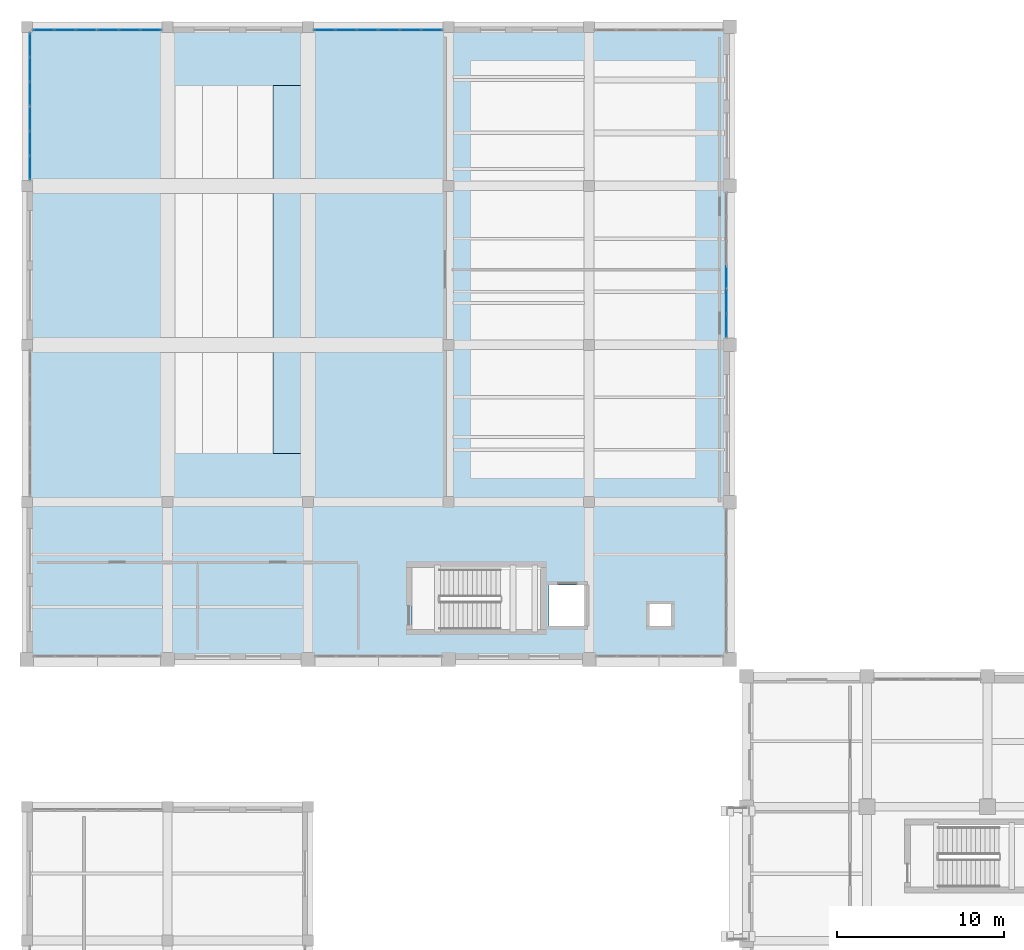
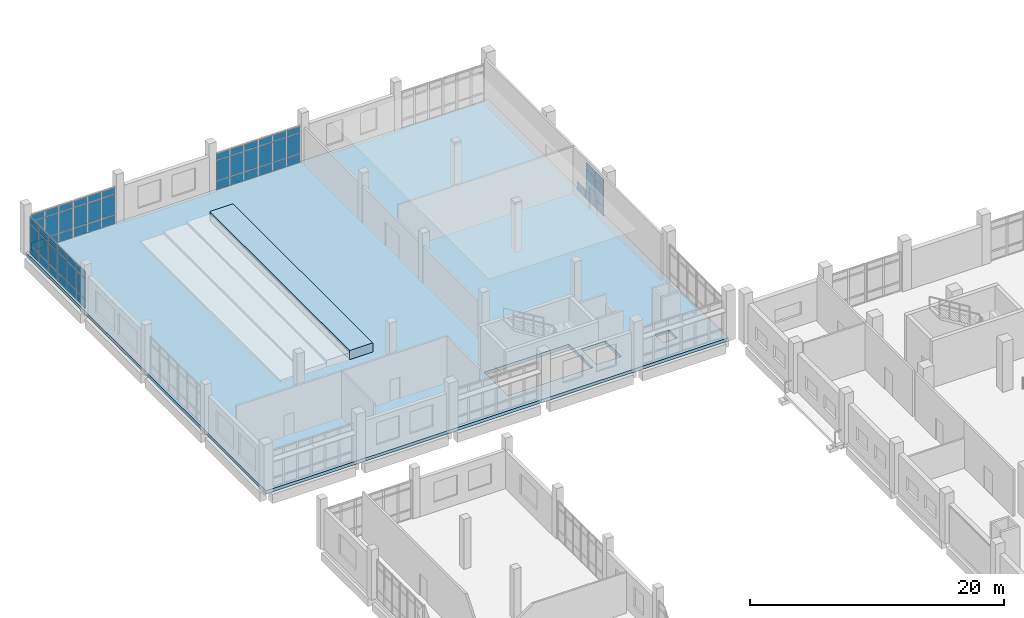
# One storey, part 56 of 90: 61 plates, 2 slabs, 7 elements without a shape of their own.
"""IFC4 building model written with IfcOpenShell, lengths in metres."""

from ifc_helpers import new_model, si_unit, direction, frame, origin, origin_2d, place, context, subcontext, project, spatial, polyline, rectangle, outline, extrude, material, layer, layer_set, type_object, element, aggregate, save


model = new_model("IFC4")

# Units and contexts
model_context = context("Model", 3, precision=1e-05, world=origin(), true_north=direction((0.0, 1.0)))
body_context = subcontext(model_context, "Body", "Model", "MODEL_VIEW")
ifc_project = project(units=[si_unit("LENGTHUNIT", "METRE"), si_unit("AREAUNIT", "SQUARE_METRE"), si_unit("VOLUMEUNIT", "CUBIC_METRE"), si_unit("PLANEANGLEUNIT", "RADIAN"), si_unit("MASSUNIT", "GRAM", prefix="KILO")], contexts=[model_context])

# Site, building, storey
site_placement = place(None, origin())
site = spatial("IfcSite", under=ifc_project, at=site_placement, CompositionType="ELEMENT")
building_placement = place(site_placement, origin())
building = spatial("IfcBuilding", under=site, at=building_placement, Name="Kelarvand Opera House", CompositionType="ELEMENT")
storey_placement = place(building_placement, frame((0.0, 0.0, 5.39990234375)))
storey = spatial("IfcBuildingStorey", under=building, at=storey_placement, Name="L01", CompositionType="ELEMENT", Elevation=5.39990234375)

# Curtain wall, plates
ifc_material_1 = material(Name="Thermally broken aluminium and low-E glazing", Category="aluminium")
ifc_layer_1 = layer(ifc_material_1, 0.179931640625, Name="Thermally broken aluminium and low-E glazing", Category="aluminium")
ifc_layer_set_1 = layer_set([ifc_layer_1], Name="Thermally broken aluminium and low-E glazing")
curtain_wall_type_1 = type_object("IfcCurtainWallType", Name="Unitised Low-E Curtain Wall 4326x3600 Mod 1350 CWF-15", PredefinedType="USERDEFINED", material=ifc_layer_set_1)
curtain_wall_1_placement = place(storey_placement, origin())
curtain_wall_1 = element("IfcCurtainWall", 1, at=curtain_wall_1_placement, inside=storey, type_object=curtain_wall_type_1, Name="V3 L01 Curtain Wall CWF-15 (48)", ObjectType="UNITISED CURTAIN WALL", PredefinedType="USERDEFINED")
ifc_material_2 = material(Name="Low-E laminated double glazing", Category="glass")
ifc_layer_2 = layer(ifc_material_2, 0.031982421875, Name="Low-E laminated double glazing", Category="glass")
ifc_layer_set_2 = layer_set([ifc_layer_2], Name="Low-E laminated double glazing")
plate_type = type_object("IfcPlateType", Name="Low-E Argon Double Glazed Curtain Panel 32mm", PredefinedType="CURTAIN_PANEL", material=ifc_layer_set_2)
plate_1_placement = place(storey_placement, frame((50.820068359375, 110.011962890625, 0.06494140625), z_axis=(0.0, 0.0, 1.0), x_axis=(0.0, -1.0, 0.0)))
plate_1 = element("IfcPlate", 2, at=plate_1_placement, type_object=plate_type, Name="CWF-15 panel 1.1", PredefinedType="CURTAIN_PANEL", context=body_context, shape_type="SweptSolid", body=[
    extrude(rectangle(XDim=1.345947265625, YDim=0.031982421875, at=origin_2d()), origin(), (0.0, 0.0, 1.0), 0.802490234375),
])
plate_2_placement = place(storey_placement, frame((50.820068359375, 108.5849609375, 0.06494140625), z_axis=(0.0, 0.0, 1.0), x_axis=(0.0, -1.0, 0.0)))
plate_2 = element("IfcPlate", 3, at=plate_2_placement, type_object=plate_type, Name="CWF-15 panel 2.1", PredefinedType="CURTAIN_PANEL", context=body_context, shape_type="SweptSolid", body=[
    extrude(rectangle(XDim=1.37841796875, YDim=0.031982421875, at=origin_2d()), origin(), (0.0, 0.0, 1.0), 0.802490234375),
])
plate_3_placement = place(storey_placement, frame((50.820068359375, 108.5849609375, 0.9326171875), z_axis=(0.0, 0.0, 1.0), x_axis=(0.0, -1.0, 0.0)))
plate_3 = element("IfcPlate", 4, at=plate_3_placement, type_object=plate_type, Name="CWF-15 panel 2.2", PredefinedType="CURTAIN_PANEL", context=body_context, shape_type="SweptSolid", body=[
    extrude(rectangle(XDim=1.37841796875, YDim=0.031982421875, at=origin_2d()), origin(), (0.0, 0.0, 1.0), 1.93505859375),
])
plate_4_placement = place(storey_placement, frame((50.820068359375, 108.5849609375, 2.9326171875), z_axis=(0.0, 0.0, 1.0), x_axis=(0.0, -1.0, 0.0)))
plate_4 = element("IfcPlate", 5, at=plate_4_placement, type_object=plate_type, Name="CWF-15 panel 2.3", PredefinedType="CURTAIN_PANEL", context=body_context, shape_type="SweptSolid", body=[
    extrude(rectangle(XDim=1.37841796875, YDim=0.031982421875, at=origin_2d()), origin(), (0.0, 0.0, 1.0), 0.6025390625),
])
plate_5_placement = place(storey_placement, frame((50.820068359375, 107.157958984375, 0.06494140625), z_axis=(0.0, 0.0, 1.0), x_axis=(0.0, -1.0, 0.0)))
plate_5 = element("IfcPlate", 6, at=plate_5_placement, type_object=plate_type, Name="CWF-15 panel 3.1", PredefinedType="CURTAIN_PANEL", context=body_context, shape_type="SweptSolid", body=[
    extrude(rectangle(XDim=1.345947265625, YDim=0.031982421875, at=origin_2d()), origin(), (0.0, 0.0, 1.0), 0.802490234375),
])
plate_6_placement = place(storey_placement, frame((50.820068359375, 107.157958984375, 0.9326171875), z_axis=(0.0, 0.0, 1.0), x_axis=(0.0, -1.0, 0.0)))
plate_6 = element("IfcPlate", 7, at=plate_6_placement, type_object=plate_type, Name="CWF-15 panel 3.2", PredefinedType="CURTAIN_PANEL", context=body_context, shape_type="SweptSolid", body=[
    extrude(rectangle(XDim=1.345947265625, YDim=0.031982421875, at=origin_2d()), origin(), (0.0, 0.0, 1.0), 1.93505859375),
])
plate_7_placement = place(storey_placement, frame((50.820068359375, 107.157958984375, 2.9326171875), z_axis=(0.0, 0.0, 1.0), x_axis=(0.0, -1.0, 0.0)))
plate_7 = element("IfcPlate", 8, at=plate_7_placement, type_object=plate_type, Name="CWF-15 panel 3.3", PredefinedType="CURTAIN_PANEL", context=body_context, shape_type="SweptSolid", body=[
    extrude(rectangle(XDim=1.345947265625, YDim=0.031982421875, at=origin_2d()), origin(), (0.0, 0.0, 1.0), 0.6025390625),
])
aggregate(curtain_wall_1, [plate_1, plate_2, plate_3, plate_4, plate_5, plate_6, plate_7])

ifc_layer_3 = layer(ifc_material_1, 0.179931640625, Name="Thermally broken aluminium and low-E glazing", Category="aluminium")
ifc_layer_set_3 = layer_set([ifc_layer_3], Name="Thermally broken aluminium and low-E glazing")
curtain_wall_type_2 = type_object("IfcCurtainWallType", Name="Unitised Low-E Curtain Wall 3861x3600 Mod 1350 CWF-17", PredefinedType="USERDEFINED", material=ifc_layer_set_3)
curtain_wall_2_placement = place(storey_placement, origin())
curtain_wall_2 = element("IfcCurtainWall", 9, at=curtain_wall_2_placement, inside=storey, type_object=curtain_wall_type_2, Name="V3 L01 Curtain Wall CWF-17 (51)", ObjectType="UNITISED CURTAIN WALL", PredefinedType="USERDEFINED")
plate_8_placement = place(storey_placement, frame((9.99462890625, 124.820068359375, 0.06494140625), z_axis=(0.0, 0.0, 1.0), x_axis=(1.0, 0.0, 0.0)))
plate_8 = element("IfcPlate", 10, at=plate_8_placement, type_object=plate_type, Name="CWF-17 panel 1.1", PredefinedType="CURTAIN_PANEL", context=body_context, shape_type="SweptSolid", body=[
    extrude(rectangle(XDim=1.189453125, YDim=0.031982421875, at=origin_2d()), origin(), (0.0, 0.0, 1.0), 0.802490234375),
])
plate_9_placement = place(storey_placement, frame((9.99462890625, 124.820068359375, 0.9326171875), z_axis=(0.0, 0.0, 1.0), x_axis=(1.0, 0.0, 0.0)))
plate_9 = element("IfcPlate", 11, at=plate_9_placement, type_object=plate_type, Name="CWF-17 panel 1.2", PredefinedType="CURTAIN_PANEL", context=body_context, shape_type="SweptSolid", body=[
    extrude(rectangle(XDim=1.189453125, YDim=0.031982421875, at=origin_2d()), origin(), (0.0, 0.0, 1.0), 1.93505859375),
])
plate_10_placement = place(storey_placement, frame((9.99462890625, 124.820068359375, 2.9326171875), z_axis=(0.0, 0.0, 1.0), x_axis=(1.0, 0.0, 0.0)))
plate_10 = element("IfcPlate", 12, at=plate_10_placement, type_object=plate_type, Name="CWF-17 panel 1.3", PredefinedType="CURTAIN_PANEL", context=body_context, shape_type="SweptSolid", body=[
    extrude(rectangle(XDim=1.189453125, YDim=0.031982421875, at=origin_2d()), origin(), (0.0, 0.0, 1.0), 0.6025390625),
])
plate_11_placement = place(storey_placement, frame((11.265380859375, 124.820068359375, 0.06494140625), z_axis=(0.0, 0.0, 1.0), x_axis=(1.0, 0.0, 0.0)))
plate_11 = element("IfcPlate", 13, at=plate_11_placement, type_object=plate_type, Name="CWF-17 panel 2.1", PredefinedType="CURTAIN_PANEL", context=body_context, shape_type="SweptSolid", body=[
    extrude(rectangle(XDim=1.221923828125, YDim=0.031982421875, at=origin_2d()), origin(), (0.0, 0.0, 1.0), 0.802490234375),
])
plate_12_placement = place(storey_placement, frame((11.265380859375, 124.820068359375, 0.9326171875), z_axis=(0.0, 0.0, 1.0), x_axis=(1.0, 0.0, 0.0)))
plate_12 = element("IfcPlate", 14, at=plate_12_placement, type_object=plate_type, Name="CWF-17 panel 2.2", PredefinedType="CURTAIN_PANEL", context=body_context, shape_type="SweptSolid", body=[
    extrude(rectangle(XDim=1.221923828125, YDim=0.031982421875, at=origin_2d()), origin(), (0.0, 0.0, 1.0), 1.93505859375),
])
plate_13_placement = place(storey_placement, frame((11.265380859375, 124.820068359375, 2.9326171875), z_axis=(0.0, 0.0, 1.0), x_axis=(1.0, 0.0, 0.0)))
plate_13 = element("IfcPlate", 15, at=plate_13_placement, type_object=plate_type, Name="CWF-17 panel 2.3", PredefinedType="CURTAIN_PANEL", context=body_context, shape_type="SweptSolid", body=[
    extrude(rectangle(XDim=1.221923828125, YDim=0.031982421875, at=origin_2d()), origin(), (0.0, 0.0, 1.0), 0.6025390625),
])
plate_14_placement = place(storey_placement, frame((12.5361328125, 124.820068359375, 0.06494140625), z_axis=(0.0, 0.0, 1.0), x_axis=(1.0, 0.0, 0.0)))
plate_14 = element("IfcPlate", 16, at=plate_14_placement, type_object=plate_type, Name="CWF-17 panel 3.1", PredefinedType="CURTAIN_PANEL", context=body_context, shape_type="SweptSolid", body=[
    extrude(rectangle(XDim=1.189453125, YDim=0.031982421875, at=origin_2d()), origin(), (0.0, 0.0, 1.0), 0.802490234375),
])
plate_15_placement = place(storey_placement, frame((12.5361328125, 124.820068359375, 0.9326171875), z_axis=(0.0, 0.0, 1.0), x_axis=(1.0, 0.0, 0.0)))
plate_15 = element("IfcPlate", 17, at=plate_15_placement, type_object=plate_type, Name="CWF-17 panel 3.2", PredefinedType="CURTAIN_PANEL", context=body_context, shape_type="SweptSolid", body=[
    extrude(rectangle(XDim=1.189453125, YDim=0.031982421875, at=origin_2d()), origin(), (0.0, 0.0, 1.0), 1.93505859375),
])
plate_16_placement = place(storey_placement, frame((12.5361328125, 124.820068359375, 2.9326171875), z_axis=(0.0, 0.0, 1.0), x_axis=(1.0, 0.0, 0.0)))
plate_16 = element("IfcPlate", 18, at=plate_16_placement, type_object=plate_type, Name="CWF-17 panel 3.3", PredefinedType="CURTAIN_PANEL", context=body_context, shape_type="SweptSolid", body=[
    extrude(rectangle(XDim=1.189453125, YDim=0.031982421875, at=origin_2d()), origin(), (0.0, 0.0, 1.0), 0.6025390625),
])
aggregate(curtain_wall_2, [plate_8, plate_9, plate_10, plate_11, plate_12, plate_13, plate_14, plate_15, plate_16])

curtain_wall_3_placement = place(storey_placement, origin())
curtain_wall_3 = element("IfcCurtainWall", 19, at=curtain_wall_3_placement, inside=storey, type_object=curtain_wall_type_2, Name="V3 L01 Curtain Wall CWF-17 (52)", ObjectType="UNITISED CURTAIN WALL", PredefinedType="USERDEFINED")
plate_17_placement = place(storey_placement, frame((13.8603515625, 124.820068359375, 0.06494140625), z_axis=(0.0, 0.0, 1.0), x_axis=(1.0, 0.0, 0.0)))
plate_17 = element("IfcPlate", 20, at=plate_17_placement, type_object=plate_type, Name="CWF-17 panel 1.1", PredefinedType="CURTAIN_PANEL", context=body_context, shape_type="SweptSolid", body=[
    extrude(rectangle(XDim=1.19091796875, YDim=0.031982421875, at=origin_2d()), origin(), (0.0, 0.0, 1.0), 0.802490234375),
])
plate_18_placement = place(storey_placement, frame((13.8603515625, 124.820068359375, 0.9326171875), z_axis=(0.0, 0.0, 1.0), x_axis=(1.0, 0.0, 0.0)))
plate_18 = element("IfcPlate", 21, at=plate_18_placement, type_object=plate_type, Name="CWF-17 panel 1.2", PredefinedType="CURTAIN_PANEL", context=body_context, shape_type="SweptSolid", body=[
    extrude(rectangle(XDim=1.19091796875, YDim=0.031982421875, at=origin_2d()), origin(), (0.0, 0.0, 1.0), 1.93505859375),
])
plate_19_placement = place(storey_placement, frame((13.8603515625, 124.820068359375, 2.9326171875), z_axis=(0.0, 0.0, 1.0), x_axis=(1.0, 0.0, 0.0)))
plate_19 = element("IfcPlate", 22, at=plate_19_placement, type_object=plate_type, Name="CWF-17 panel 1.3", PredefinedType="CURTAIN_PANEL", context=body_context, shape_type="SweptSolid", body=[
    extrude(rectangle(XDim=1.19091796875, YDim=0.031982421875, at=origin_2d()), origin(), (0.0, 0.0, 1.0), 0.6025390625),
])
plate_20_placement = place(storey_placement, frame((15.132568359375, 124.820068359375, 0.06494140625), z_axis=(0.0, 0.0, 1.0), x_axis=(1.0, 0.0, 0.0)))
plate_20 = element("IfcPlate", 23, at=plate_20_placement, type_object=plate_type, Name="CWF-17 panel 2.1", PredefinedType="CURTAIN_PANEL", context=body_context, shape_type="SweptSolid", body=[
    extrude(rectangle(XDim=1.223388671875, YDim=0.031982421875, at=origin_2d()), origin(), (0.0, 0.0, 1.0), 0.802490234375),
])
plate_21_placement = place(storey_placement, frame((15.132568359375, 124.820068359375, 0.9326171875), z_axis=(0.0, 0.0, 1.0), x_axis=(1.0, 0.0, 0.0)))
plate_21 = element("IfcPlate", 24, at=plate_21_placement, type_object=plate_type, Name="CWF-17 panel 2.2", PredefinedType="CURTAIN_PANEL", context=body_context, shape_type="SweptSolid", body=[
    extrude(rectangle(XDim=1.223388671875, YDim=0.031982421875, at=origin_2d()), origin(), (0.0, 0.0, 1.0), 1.93505859375),
])
plate_22_placement = place(storey_placement, frame((15.132568359375, 124.820068359375, 2.9326171875), z_axis=(0.0, 0.0, 1.0), x_axis=(1.0, 0.0, 0.0)))
plate_22 = element("IfcPlate", 25, at=plate_22_placement, type_object=plate_type, Name="CWF-17 panel 2.3", PredefinedType="CURTAIN_PANEL", context=body_context, shape_type="SweptSolid", body=[
    extrude(rectangle(XDim=1.223388671875, YDim=0.031982421875, at=origin_2d()), origin(), (0.0, 0.0, 1.0), 0.6025390625),
])
plate_23_placement = place(storey_placement, frame((16.404541015625, 124.820068359375, 0.06494140625), z_axis=(0.0, 0.0, 1.0), x_axis=(1.0, 0.0, 0.0)))
plate_23 = element("IfcPlate", 26, at=plate_23_placement, type_object=plate_type, Name="CWF-17 panel 3.1", PredefinedType="CURTAIN_PANEL", context=body_context, shape_type="SweptSolid", body=[
    extrude(rectangle(XDim=1.19091796875, YDim=0.031982421875, at=origin_2d()), origin(), (0.0, 0.0, 1.0), 0.802490234375),
])
plate_24_placement = place(storey_placement, frame((16.404541015625, 124.820068359375, 0.9326171875), z_axis=(0.0, 0.0, 1.0), x_axis=(1.0, 0.0, 0.0)))
plate_24 = element("IfcPlate", 27, at=plate_24_placement, type_object=plate_type, Name="CWF-17 panel 3.2", PredefinedType="CURTAIN_PANEL", context=body_context, shape_type="SweptSolid", body=[
    extrude(rectangle(XDim=1.19091796875, YDim=0.031982421875, at=origin_2d()), origin(), (0.0, 0.0, 1.0), 1.93505859375),
])
plate_25_placement = place(storey_placement, frame((16.404541015625, 124.820068359375, 2.9326171875), z_axis=(0.0, 0.0, 1.0), x_axis=(1.0, 0.0, 0.0)))
plate_25 = element("IfcPlate", 28, at=plate_25_placement, type_object=plate_type, Name="CWF-17 panel 3.3", PredefinedType="CURTAIN_PANEL", context=body_context, shape_type="SweptSolid", body=[
    extrude(rectangle(XDim=1.19091796875, YDim=0.031982421875, at=origin_2d()), origin(), (0.0, 0.0, 1.0), 0.6025390625),
])
aggregate(curtain_wall_3, [plate_17, plate_18, plate_19, plate_20, plate_21, plate_22, plate_23, plate_24, plate_25])

curtain_wall_4_placement = place(storey_placement, origin())
curtain_wall_4 = element("IfcCurtainWall", 29, at=curtain_wall_4_placement, inside=storey, type_object=curtain_wall_type_2, Name="V3 L01 Curtain Wall CWF-17 (53)", ObjectType="UNITISED CURTAIN WALL", PredefinedType="USERDEFINED")
plate_26_placement = place(storey_placement, frame((26.794677734375, 124.820068359375, 0.06494140625), z_axis=(0.0, 0.0, 1.0), x_axis=(1.0, 0.0, 0.0)))
plate_26 = element("IfcPlate", 30, at=plate_26_placement, type_object=plate_type, Name="CWF-17 panel 1.1", PredefinedType="CURTAIN_PANEL", context=body_context, shape_type="SweptSolid", body=[
    extrude(rectangle(XDim=1.189453125, YDim=0.031982421875, at=origin_2d()), origin(), (0.0, 0.0, 1.0), 0.802490234375),
])
plate_27_placement = place(storey_placement, frame((26.794677734375, 124.820068359375, 0.9326171875), z_axis=(0.0, 0.0, 1.0), x_axis=(1.0, 0.0, 0.0)))
plate_27 = element("IfcPlate", 31, at=plate_27_placement, type_object=plate_type, Name="CWF-17 panel 1.2", PredefinedType="CURTAIN_PANEL", context=body_context, shape_type="SweptSolid", body=[
    extrude(rectangle(XDim=1.189453125, YDim=0.031982421875, at=origin_2d()), origin(), (0.0, 0.0, 1.0), 1.93505859375),
])
plate_28_placement = place(storey_placement, frame((26.794677734375, 124.820068359375, 2.9326171875), z_axis=(0.0, 0.0, 1.0), x_axis=(1.0, 0.0, 0.0)))
plate_28 = element("IfcPlate", 32, at=plate_28_placement, type_object=plate_type, Name="CWF-17 panel 1.3", PredefinedType="CURTAIN_PANEL", context=body_context, shape_type="SweptSolid", body=[
    extrude(rectangle(XDim=1.189453125, YDim=0.031982421875, at=origin_2d()), origin(), (0.0, 0.0, 1.0), 0.6025390625),
])
plate_29_placement = place(storey_placement, frame((28.0654296875, 124.820068359375, 0.06494140625), z_axis=(0.0, 0.0, 1.0), x_axis=(1.0, 0.0, 0.0)))
plate_29 = element("IfcPlate", 33, at=plate_29_placement, type_object=plate_type, Name="CWF-17 panel 2.1", PredefinedType="CURTAIN_PANEL", context=body_context, shape_type="SweptSolid", body=[
    extrude(rectangle(XDim=1.221923828125, YDim=0.031982421875, at=origin_2d()), origin(), (0.0, 0.0, 1.0), 0.802490234375),
])
plate_30_placement = place(storey_placement, frame((28.0654296875, 124.820068359375, 0.9326171875), z_axis=(0.0, 0.0, 1.0), x_axis=(1.0, 0.0, 0.0)))
plate_30 = element("IfcPlate", 34, at=plate_30_placement, type_object=plate_type, Name="CWF-17 panel 2.2", PredefinedType="CURTAIN_PANEL", context=body_context, shape_type="SweptSolid", body=[
    extrude(rectangle(XDim=1.221923828125, YDim=0.031982421875, at=origin_2d()), origin(), (0.0, 0.0, 1.0), 1.93505859375),
])
plate_31_placement = place(storey_placement, frame((28.0654296875, 124.820068359375, 2.9326171875), z_axis=(0.0, 0.0, 1.0), x_axis=(1.0, 0.0, 0.0)))
plate_31 = element("IfcPlate", 35, at=plate_31_placement, type_object=plate_type, Name="CWF-17 panel 2.3", PredefinedType="CURTAIN_PANEL", context=body_context, shape_type="SweptSolid", body=[
    extrude(rectangle(XDim=1.221923828125, YDim=0.031982421875, at=origin_2d()), origin(), (0.0, 0.0, 1.0), 0.6025390625),
])
plate_32_placement = place(storey_placement, frame((29.336181640625, 124.820068359375, 0.06494140625), z_axis=(0.0, 0.0, 1.0), x_axis=(1.0, 0.0, 0.0)))
plate_32 = element("IfcPlate", 36, at=plate_32_placement, type_object=plate_type, Name="CWF-17 panel 3.1", PredefinedType="CURTAIN_PANEL", context=body_context, shape_type="SweptSolid", body=[
    extrude(rectangle(XDim=1.189453125, YDim=0.031982421875, at=origin_2d()), origin(), (0.0, 0.0, 1.0), 0.802490234375),
])
plate_33_placement = place(storey_placement, frame((29.336181640625, 124.820068359375, 0.9326171875), z_axis=(0.0, 0.0, 1.0), x_axis=(1.0, 0.0, 0.0)))
plate_33 = element("IfcPlate", 37, at=plate_33_placement, type_object=plate_type, Name="CWF-17 panel 3.2", PredefinedType="CURTAIN_PANEL", context=body_context, shape_type="SweptSolid", body=[
    extrude(rectangle(XDim=1.189453125, YDim=0.031982421875, at=origin_2d()), origin(), (0.0, 0.0, 1.0), 1.93505859375),
])
plate_34_placement = place(storey_placement, frame((29.336181640625, 124.820068359375, 2.9326171875), z_axis=(0.0, 0.0, 1.0), x_axis=(1.0, 0.0, 0.0)))
plate_34 = element("IfcPlate", 38, at=plate_34_placement, type_object=plate_type, Name="CWF-17 panel 3.3", PredefinedType="CURTAIN_PANEL", context=body_context, shape_type="SweptSolid", body=[
    extrude(rectangle(XDim=1.189453125, YDim=0.031982421875, at=origin_2d()), origin(), (0.0, 0.0, 1.0), 0.6025390625),
])
aggregate(curtain_wall_4, [plate_26, plate_27, plate_28, plate_29, plate_30, plate_31, plate_32, plate_33, plate_34])

curtain_wall_5_placement = place(storey_placement, origin())
curtain_wall_5 = element("IfcCurtainWall", 39, at=curtain_wall_5_placement, inside=storey, type_object=curtain_wall_type_2, Name="V3 L01 Curtain Wall CWF-17 (54)", ObjectType="UNITISED CURTAIN WALL", PredefinedType="USERDEFINED")
plate_35_placement = place(storey_placement, frame((30.660400390625, 124.820068359375, 0.06494140625), z_axis=(0.0, 0.0, 1.0), x_axis=(1.0, 0.0, 0.0)))
plate_35 = element("IfcPlate", 40, at=plate_35_placement, type_object=plate_type, Name="CWF-17 panel 1.1", PredefinedType="CURTAIN_PANEL", context=body_context, shape_type="SweptSolid", body=[
    extrude(rectangle(XDim=1.19091796875, YDim=0.031982421875, at=origin_2d()), origin(), (0.0, 0.0, 1.0), 0.802490234375),
])
plate_36_placement = place(storey_placement, frame((30.660400390625, 124.820068359375, 0.9326171875), z_axis=(0.0, 0.0, 1.0), x_axis=(1.0, 0.0, 0.0)))
plate_36 = element("IfcPlate", 41, at=plate_36_placement, type_object=plate_type, Name="CWF-17 panel 1.2", PredefinedType="CURTAIN_PANEL", context=body_context, shape_type="SweptSolid", body=[
    extrude(rectangle(XDim=1.19091796875, YDim=0.031982421875, at=origin_2d()), origin(), (0.0, 0.0, 1.0), 1.93505859375),
])
plate_37_placement = place(storey_placement, frame((30.660400390625, 124.820068359375, 2.9326171875), z_axis=(0.0, 0.0, 1.0), x_axis=(1.0, 0.0, 0.0)))
plate_37 = element("IfcPlate", 42, at=plate_37_placement, type_object=plate_type, Name="CWF-17 panel 1.3", PredefinedType="CURTAIN_PANEL", context=body_context, shape_type="SweptSolid", body=[
    extrude(rectangle(XDim=1.19091796875, YDim=0.031982421875, at=origin_2d()), origin(), (0.0, 0.0, 1.0), 0.6025390625),
])
plate_38_placement = place(storey_placement, frame((31.9326171875, 124.820068359375, 0.06494140625), z_axis=(0.0, 0.0, 1.0), x_axis=(1.0, 0.0, 0.0)))
plate_38 = element("IfcPlate", 43, at=plate_38_placement, type_object=plate_type, Name="CWF-17 panel 2.1", PredefinedType="CURTAIN_PANEL", context=body_context, shape_type="SweptSolid", body=[
    extrude(rectangle(XDim=1.223388671875, YDim=0.031982421875, at=origin_2d()), origin(), (0.0, 0.0, 1.0), 0.802490234375),
])
plate_39_placement = place(storey_placement, frame((31.9326171875, 124.820068359375, 0.9326171875), z_axis=(0.0, 0.0, 1.0), x_axis=(1.0, 0.0, 0.0)))
plate_39 = element("IfcPlate", 44, at=plate_39_placement, type_object=plate_type, Name="CWF-17 panel 2.2", PredefinedType="CURTAIN_PANEL", context=body_context, shape_type="SweptSolid", body=[
    extrude(rectangle(XDim=1.223388671875, YDim=0.031982421875, at=origin_2d()), origin(), (0.0, 0.0, 1.0), 1.93505859375),
])
plate_40_placement = place(storey_placement, frame((31.9326171875, 124.820068359375, 2.9326171875), z_axis=(0.0, 0.0, 1.0), x_axis=(1.0, 0.0, 0.0)))
plate_40 = element("IfcPlate", 45, at=plate_40_placement, type_object=plate_type, Name="CWF-17 panel 2.3", PredefinedType="CURTAIN_PANEL", context=body_context, shape_type="SweptSolid", body=[
    extrude(rectangle(XDim=1.223388671875, YDim=0.031982421875, at=origin_2d()), origin(), (0.0, 0.0, 1.0), 0.6025390625),
])
plate_41_placement = place(storey_placement, frame((33.20458984375, 124.820068359375, 0.06494140625), z_axis=(0.0, 0.0, 1.0), x_axis=(1.0, 0.0, 0.0)))
plate_41 = element("IfcPlate", 46, at=plate_41_placement, type_object=plate_type, Name="CWF-17 panel 3.1", PredefinedType="CURTAIN_PANEL", context=body_context, shape_type="SweptSolid", body=[
    extrude(rectangle(XDim=1.19091796875, YDim=0.031982421875, at=origin_2d()), origin(), (0.0, 0.0, 1.0), 0.802490234375),
])
plate_42_placement = place(storey_placement, frame((33.20458984375, 124.820068359375, 0.9326171875), z_axis=(0.0, 0.0, 1.0), x_axis=(1.0, 0.0, 0.0)))
plate_42 = element("IfcPlate", 47, at=plate_42_placement, type_object=plate_type, Name="CWF-17 panel 3.2", PredefinedType="CURTAIN_PANEL", context=body_context, shape_type="SweptSolid", body=[
    extrude(rectangle(XDim=1.19091796875, YDim=0.031982421875, at=origin_2d()), origin(), (0.0, 0.0, 1.0), 1.93505859375),
])
plate_43_placement = place(storey_placement, frame((33.20458984375, 124.820068359375, 2.9326171875), z_axis=(0.0, 0.0, 1.0), x_axis=(1.0, 0.0, 0.0)))
plate_43 = element("IfcPlate", 48, at=plate_43_placement, type_object=plate_type, Name="CWF-17 panel 3.3", PredefinedType="CURTAIN_PANEL", context=body_context, shape_type="SweptSolid", body=[
    extrude(rectangle(XDim=1.19091796875, YDim=0.031982421875, at=origin_2d()), origin(), (0.0, 0.0, 1.0), 0.6025390625),
])
aggregate(curtain_wall_5, [plate_35, plate_36, plate_37, plate_38, plate_39, plate_40, plate_41, plate_42, plate_43])

ifc_layer_4 = layer(ifc_material_1, 0.179931640625, Name="Thermally broken aluminium and low-E glazing", Category="aluminium")
ifc_layer_set_4 = layer_set([ifc_layer_4], Name="Thermally broken aluminium and low-E glazing")
curtain_wall_type_3 = type_object("IfcCurtainWallType", Name="Unitised Low-E Curtain Wall 4411x3600 Mod 1350 CWF-19", PredefinedType="USERDEFINED", material=ifc_layer_set_4)
curtain_wall_6_placement = place(storey_placement, origin())
curtain_wall_6 = element("IfcCurtainWall", 49, at=curtain_wall_6_placement, inside=storey, type_object=curtain_wall_type_3, Name="V3 L01 Curtain Wall CWF-19 (59)", ObjectType="UNITISED CURTAIN WALL", PredefinedType="USERDEFINED")
plate_44_placement = place(storey_placement, frame((9.179931640625, 116.58642578125, 0.06494140625), z_axis=(0.0, 0.0, 1.0), x_axis=(0.0, 1.0, 0.0)))
plate_44 = element("IfcPlate", 50, at=plate_44_placement, type_object=plate_type, Name="CWF-19 panel 1.1", PredefinedType="CURTAIN_PANEL", context=body_context, shape_type="SweptSolid", body=[
    extrude(rectangle(XDim=1.372802734375, YDim=0.031982421875, at=origin_2d()), origin(), (0.0, 0.0, 1.0), 0.802490234375),
])
plate_45_placement = place(storey_placement, frame((9.179931640625, 116.58642578125, 0.9326171875), z_axis=(0.0, 0.0, 1.0), x_axis=(0.0, 1.0, 0.0)))
plate_45 = element("IfcPlate", 51, at=plate_45_placement, type_object=plate_type, Name="CWF-19 panel 1.2", PredefinedType="CURTAIN_PANEL", context=body_context, shape_type="SweptSolid", body=[
    extrude(rectangle(XDim=1.372802734375, YDim=0.031982421875, at=origin_2d()), origin(), (0.0, 0.0, 1.0), 1.93505859375),
])
plate_46_placement = place(storey_placement, frame((9.179931640625, 116.58642578125, 2.9326171875), z_axis=(0.0, 0.0, 1.0), x_axis=(0.0, 1.0, 0.0)))
plate_46 = element("IfcPlate", 52, at=plate_46_placement, type_object=plate_type, Name="CWF-19 panel 1.3", PredefinedType="CURTAIN_PANEL", context=body_context, shape_type="SweptSolid", body=[
    extrude(rectangle(XDim=1.372802734375, YDim=0.031982421875, at=origin_2d()), origin(), (0.0, 0.0, 1.0), 0.6025390625),
])
plate_47_placement = place(storey_placement, frame((9.179931640625, 118.04052734375, 0.06494140625), z_axis=(0.0, 0.0, 1.0), x_axis=(0.0, 1.0, 0.0)))
plate_47 = element("IfcPlate", 53, at=plate_47_placement, type_object=plate_type, Name="CWF-19 panel 2.1", PredefinedType="CURTAIN_PANEL", context=body_context, shape_type="SweptSolid", body=[
    extrude(rectangle(XDim=1.4052734375, YDim=0.031982421875, at=origin_2d()), origin(), (0.0, 0.0, 1.0), 0.802490234375),
])
plate_48_placement = place(storey_placement, frame((9.179931640625, 118.04052734375, 0.9326171875), z_axis=(0.0, 0.0, 1.0), x_axis=(0.0, 1.0, 0.0)))
plate_48 = element("IfcPlate", 54, at=plate_48_placement, type_object=plate_type, Name="CWF-19 panel 2.2", PredefinedType="CURTAIN_PANEL", context=body_context, shape_type="SweptSolid", body=[
    extrude(rectangle(XDim=1.4052734375, YDim=0.031982421875, at=origin_2d()), origin(), (0.0, 0.0, 1.0), 1.93505859375),
])
plate_49_placement = place(storey_placement, frame((9.179931640625, 118.04052734375, 2.9326171875), z_axis=(0.0, 0.0, 1.0), x_axis=(0.0, 1.0, 0.0)))
plate_49 = element("IfcPlate", 55, at=plate_49_placement, type_object=plate_type, Name="CWF-19 panel 2.3", PredefinedType="CURTAIN_PANEL", context=body_context, shape_type="SweptSolid", body=[
    extrude(rectangle(XDim=1.4052734375, YDim=0.031982421875, at=origin_2d()), origin(), (0.0, 0.0, 1.0), 0.6025390625),
])
plate_50_placement = place(storey_placement, frame((9.179931640625, 119.49462890625, 0.06494140625), z_axis=(0.0, 0.0, 1.0), x_axis=(0.0, 1.0, 0.0)))
plate_50 = element("IfcPlate", 56, at=plate_50_placement, type_object=plate_type, Name="CWF-19 panel 3.1", PredefinedType="CURTAIN_PANEL", context=body_context, shape_type="SweptSolid", body=[
    extrude(rectangle(XDim=1.372802734375, YDim=0.031982421875, at=origin_2d()), origin(), (0.0, 0.0, 1.0), 0.802490234375),
])
plate_51_placement = place(storey_placement, frame((9.179931640625, 119.49462890625, 0.9326171875), z_axis=(0.0, 0.0, 1.0), x_axis=(0.0, 1.0, 0.0)))
plate_51 = element("IfcPlate", 57, at=plate_51_placement, type_object=plate_type, Name="CWF-19 panel 3.2", PredefinedType="CURTAIN_PANEL", context=body_context, shape_type="SweptSolid", body=[
    extrude(rectangle(XDim=1.372802734375, YDim=0.031982421875, at=origin_2d()), origin(), (0.0, 0.0, 1.0), 1.93505859375),
])
plate_52_placement = place(storey_placement, frame((9.179931640625, 119.49462890625, 2.9326171875), z_axis=(0.0, 0.0, 1.0), x_axis=(0.0, 1.0, 0.0)))
plate_52 = element("IfcPlate", 58, at=plate_52_placement, type_object=plate_type, Name="CWF-19 panel 3.3", PredefinedType="CURTAIN_PANEL", context=body_context, shape_type="SweptSolid", body=[
    extrude(rectangle(XDim=1.372802734375, YDim=0.031982421875, at=origin_2d()), origin(), (0.0, 0.0, 1.0), 0.6025390625),
])
aggregate(curtain_wall_6, [plate_44, plate_45, plate_46, plate_47, plate_48, plate_49, plate_50, plate_51, plate_52])

curtain_wall_7_placement = place(storey_placement, origin())
curtain_wall_7 = element("IfcCurtainWall", 59, at=curtain_wall_7_placement, inside=storey, type_object=curtain_wall_type_3, Name="V3 L01 Curtain Wall CWF-19 (60)", ObjectType="UNITISED CURTAIN WALL", PredefinedType="USERDEFINED")
plate_53_placement = place(storey_placement, frame((9.179931640625, 121.002197265625, 0.06494140625), z_axis=(0.0, 0.0, 1.0), x_axis=(0.0, 1.0, 0.0)))
plate_53 = element("IfcPlate", 60, at=plate_53_placement, type_object=plate_type, Name="CWF-19 panel 1.1", PredefinedType="CURTAIN_PANEL", context=body_context, shape_type="SweptSolid", body=[
    extrude(rectangle(XDim=1.374267578125, YDim=0.031982421875, at=origin_2d()), origin(), (0.0, 0.0, 1.0), 0.802490234375),
])
plate_54_placement = place(storey_placement, frame((9.179931640625, 121.002197265625, 0.9326171875), z_axis=(0.0, 0.0, 1.0), x_axis=(0.0, 1.0, 0.0)))
plate_54 = element("IfcPlate", 61, at=plate_54_placement, type_object=plate_type, Name="CWF-19 panel 1.2", PredefinedType="CURTAIN_PANEL", context=body_context, shape_type="SweptSolid", body=[
    extrude(rectangle(XDim=1.374267578125, YDim=0.031982421875, at=origin_2d()), origin(), (0.0, 0.0, 1.0), 1.93505859375),
])
plate_55_placement = place(storey_placement, frame((9.179931640625, 121.002197265625, 2.9326171875), z_axis=(0.0, 0.0, 1.0), x_axis=(0.0, 1.0, 0.0)))
plate_55 = element("IfcPlate", 62, at=plate_55_placement, type_object=plate_type, Name="CWF-19 panel 1.3", PredefinedType="CURTAIN_PANEL", context=body_context, shape_type="SweptSolid", body=[
    extrude(rectangle(XDim=1.374267578125, YDim=0.031982421875, at=origin_2d()), origin(), (0.0, 0.0, 1.0), 0.6025390625),
])
plate_56_placement = place(storey_placement, frame((9.179931640625, 122.45751953125, 0.06494140625), z_axis=(0.0, 0.0, 1.0), x_axis=(0.0, 1.0, 0.0)))
plate_56 = element("IfcPlate", 63, at=plate_56_placement, type_object=plate_type, Name="CWF-19 panel 2.1", PredefinedType="CURTAIN_PANEL", context=body_context, shape_type="SweptSolid", body=[
    extrude(rectangle(XDim=1.40673828125, YDim=0.031982421875, at=origin_2d()), origin(), (0.0, 0.0, 1.0), 0.802490234375),
])
plate_57_placement = place(storey_placement, frame((9.179931640625, 122.45751953125, 0.9326171875), z_axis=(0.0, 0.0, 1.0), x_axis=(0.0, 1.0, 0.0)))
plate_57 = element("IfcPlate", 64, at=plate_57_placement, type_object=plate_type, Name="CWF-19 panel 2.2", PredefinedType="CURTAIN_PANEL", context=body_context, shape_type="SweptSolid", body=[
    extrude(rectangle(XDim=1.40673828125, YDim=0.031982421875, at=origin_2d()), origin(), (0.0, 0.0, 1.0), 1.93505859375),
])
plate_58_placement = place(storey_placement, frame((9.179931640625, 122.45751953125, 2.9326171875), z_axis=(0.0, 0.0, 1.0), x_axis=(0.0, 1.0, 0.0)))
plate_58 = element("IfcPlate", 65, at=plate_58_placement, type_object=plate_type, Name="CWF-19 panel 2.3", PredefinedType="CURTAIN_PANEL", context=body_context, shape_type="SweptSolid", body=[
    extrude(rectangle(XDim=1.40673828125, YDim=0.031982421875, at=origin_2d()), origin(), (0.0, 0.0, 1.0), 0.6025390625),
])
plate_59_placement = place(storey_placement, frame((9.179931640625, 123.912841796875, 0.06494140625), z_axis=(0.0, 0.0, 1.0), x_axis=(0.0, 1.0, 0.0)))
plate_59 = element("IfcPlate", 66, at=plate_59_placement, type_object=plate_type, Name="CWF-19 panel 3.1", PredefinedType="CURTAIN_PANEL", context=body_context, shape_type="SweptSolid", body=[
    extrude(rectangle(XDim=1.374267578125, YDim=0.031982421875, at=origin_2d()), origin(), (0.0, 0.0, 1.0), 0.802490234375),
])
plate_60_placement = place(storey_placement, frame((9.179931640625, 123.912841796875, 0.9326171875), z_axis=(0.0, 0.0, 1.0), x_axis=(0.0, 1.0, 0.0)))
plate_60 = element("IfcPlate", 67, at=plate_60_placement, type_object=plate_type, Name="CWF-19 panel 3.2", PredefinedType="CURTAIN_PANEL", context=body_context, shape_type="SweptSolid", body=[
    extrude(rectangle(XDim=1.374267578125, YDim=0.031982421875, at=origin_2d()), origin(), (0.0, 0.0, 1.0), 1.93505859375),
])
plate_61_placement = place(storey_placement, frame((9.179931640625, 123.912841796875, 2.9326171875), z_axis=(0.0, 0.0, 1.0), x_axis=(0.0, 1.0, 0.0)))
plate_61 = element("IfcPlate", 68, at=plate_61_placement, type_object=plate_type, Name="CWF-19 panel 3.3", PredefinedType="CURTAIN_PANEL", context=body_context, shape_type="SweptSolid", body=[
    extrude(rectangle(XDim=1.374267578125, YDim=0.031982421875, at=origin_2d()), origin(), (0.0, 0.0, 1.0), 0.6025390625),
])
aggregate(curtain_wall_7, [plate_53, plate_54, plate_55, plate_56, plate_57, plate_58, plate_59, plate_60, plate_61])

# Slabs
ifc_material_3 = material(Name="Precast concrete C40/50", Category="concrete")
ifc_layer_5 = layer(ifc_material_3, 0.199951171875, Name="Precast concrete C40/50", Category="concrete")
ifc_layer_set_5 = layer_set([ifc_layer_5], Name="Precast concrete C40/50")
slab_type_1 = type_object("IfcSlabType", Name="Precast Stepped Seating Tier 200", PredefinedType="USERDEFINED", material=ifc_layer_set_5)
slab_1_placement = place(storey_placement, origin())
element("IfcSlab", 69, at=slab_1_placement, inside=storey, type_object=slab_type_1, Name="V3 Stepped Seating Tier 4", ObjectType="SEATING TIER", PredefinedType="USERDEFINED", context=body_context, shape_type="SweptSolid", body=[
    extrude(outline(polyline([(23.699951171875, 99.5), (25.800048828125, 99.5), (25.800048828125, 121.5), (23.699951171875, 121.5), (23.699951171875, 99.5)])), origin(), (0.0, 0.0, 1.0), 0.880126953125),
])
ifc_material_4 = material(Name="Concrete C35/45", Category="concrete")
ifc_layer_6 = layer(ifc_material_4, 0.300048828125, Name="Concrete C35/45", Category="concrete")
ifc_layer_set_6 = layer_set([ifc_layer_6], Name="Concrete C35/45")
slab_type_2 = type_object("IfcSlabType", Name="Suspended Floor Slab 300", PredefinedType="FLOOR", material=ifc_layer_set_6)
slab_2_placement = place(storey_placement, frame((0.0, 0.0, -0.2998046875)))
element("IfcSlab", 70, at=slab_2_placement, inside=storey, type_object=slab_type_2, Name="V3 L01 Structural Slab 21", PredefinedType="FLOOR", context=body_context, shape_type="SweptSolid", body=[
    extrude(outline(polyline([(51.0, 87.199951171875), (51.0, 125.0), (9.0, 125.0), (9.0, 87.199951171875), (51.0, 87.199951171875)]), holes=[polyline([(46.199951171875, 89.199951171875), (46.199951171875, 90.5), (47.5, 90.5), (47.5, 89.199951171875), (46.199951171875, 89.199951171875)]), polyline([(40.199951171875, 91.64990234375), (42.39990234375, 91.64990234375), (42.39990234375, 89.199951171875), (40.199951171875, 89.199951171875), (40.199951171875, 91.64990234375)]), polyline([(32.0, 92.699951171875), (39.699951171875, 92.699951171875), (39.699951171875, 89.0), (32.0, 89.0), (32.0, 92.699951171875)])]), origin(), (0.0, 0.0, 1.0), 0.2998046875),
])

save(model, "model.ifc")
